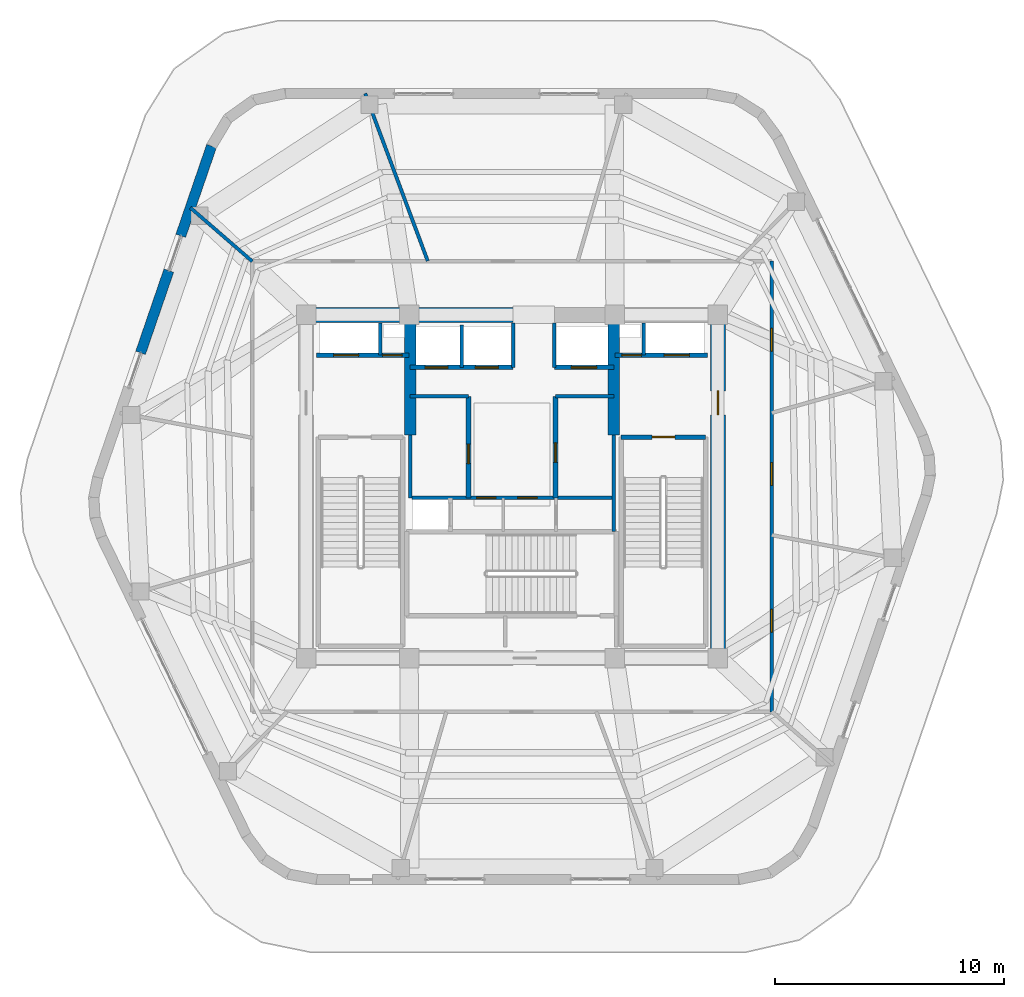
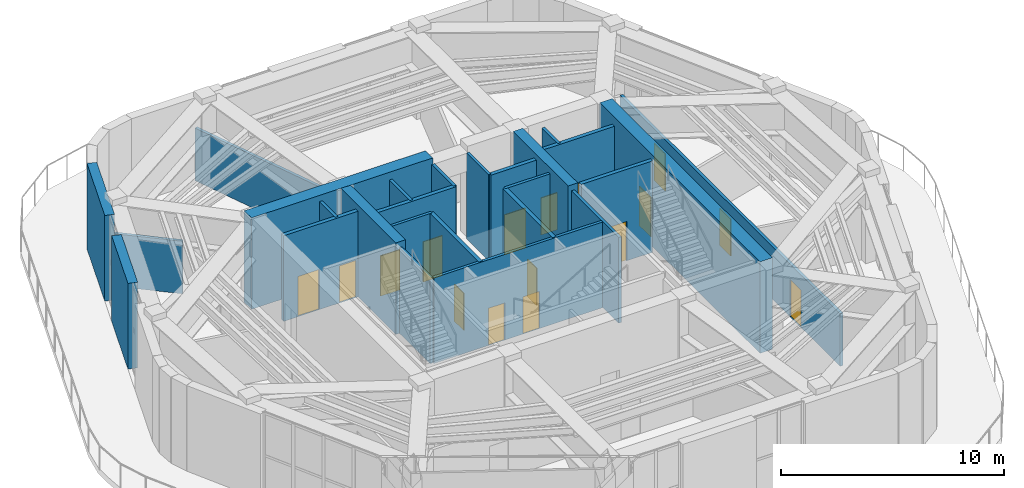
# One storey, part 18 of 24: 26 walls, 16 doors, 16 openings.
"""IFC4 building model written with IfcOpenShell, lengths in metres."""

from ifc_helpers import new_model, si_unit, direction, frame, frame_2d, origin, place, context, subcontext, project, spatial, rectangle, extrude, material, layer, layer_set, type_object, element, fill, save


model = new_model("IFC4")

# Units and contexts
model_context = context("Model", 3, precision=1e-05, world=origin(), true_north=direction((0.0, 1.0)))
body_context = subcontext(model_context, "Body", "Model", "MODEL_VIEW")
ifc_project = project(units=[si_unit("LENGTHUNIT", "METRE"), si_unit("AREAUNIT", "SQUARE_METRE"), si_unit("VOLUMEUNIT", "CUBIC_METRE"), si_unit("PLANEANGLEUNIT", "RADIAN"), si_unit("MASSUNIT", "GRAM", prefix="KILO")], contexts=[model_context])

# Site, building, storey
site_placement = place(None, origin())
site = spatial("IfcSite", under=ifc_project, at=site_placement, CompositionType="ELEMENT")
building_placement = place(site_placement, origin())
building = spatial("IfcBuilding", under=site, at=building_placement, Name="Kilnhurst Terrace Hotel", CompositionType="ELEMENT")
storey_placement = place(building_placement, frame((0.0, 0.0, 305.39990234375)))
storey = spatial("IfcBuildingStorey", under=building, at=storey_placement, Name="L76", CompositionType="ELEMENT", Elevation=305.39990234375)

# Walls
ifc_material_1 = material(Name="Precast concrete C40/50", Category="concrete")
ifc_layer_1 = layer(ifc_material_1, 0.449951171875, Name="Precast concrete C40/50")
ifc_layer_set_1 = layer_set([ifc_layer_1], Name="Precast concrete C40/50")
wall_type_1 = type_object("IfcWallType", Name="WL-BRK-450", PredefinedType="SOLIDWALL", material=ifc_layer_set_1)
wall_1_placement = place(storey_placement, frame((-13.131103515625, 14.873291015625, 0.0), z_axis=(0.0, 0.0, 1.0), x_axis=(-0.324498911717, -0.945886069405, 0.0)))
element("IfcWall", 1, at=wall_1_placement, inside=storey, type_object=wall_type_1, Name="L76 Face 5 Brick Pier 1", PredefinedType="SOLIDWALL", context=body_context, shape_type="SweptSolid", body=[
    extrude(rectangle(XDim=4.14697265625, YDim=0.449951171875, at=frame_2d((2.073486328125, 0.0))), origin(), (0.0, 0.0, 1.0), 4.68017578125),
])
wall_2_placement = place(storey_placement, frame((-14.997802734375, 9.4326171875, 0.0), z_axis=(0.0, 0.0, 1.0), x_axis=(-0.324503351443, -0.945884546286, 0.0)))
element("IfcWall", 2, at=wall_2_placement, inside=storey, type_object=wall_type_1, Name="L76 Face 5 Brick Pier 2", PredefinedType="SOLIDWALL", context=body_context, shape_type="SweptSolid", body=[
    extrude(rectangle(XDim=3.800048828125, YDim=0.449951171875, at=frame_2d((1.89990234375, 0.0))), origin(), (0.0, 0.0, 1.0), 4.68017578125),
])

# Wall, openings, doors
ifc_material_2 = material(Name="Acoustic Double-Gypsum Corridor Partition Assembly")
ifc_layer_2 = layer(ifc_material_2, 0.14990234375, Name="Acoustic Double-Gypsum Corridor Partition Assembly")
ifc_layer_set_2 = layer_set([ifc_layer_2], Name="Acoustic Double-Gypsum Corridor Partition Assembly")
wall_type_2 = type_object("IfcWallType", Name="WL-COR-150", PredefinedType="PARTITIONING", material=ifc_layer_set_2)
wall_3_placement = place(storey_placement, frame((11.35009765625, 9.85009765625, 0.0), z_axis=(0.0, 0.0, 1.0), x_axis=(0.0, -1.0, 0.0)))
wall_3 = element("IfcWall", 3, at=wall_3_placement, inside=storey, type_object=wall_type_2, Name="L76 Interior Wall WL-L76-COR-03", PredefinedType="PARTITIONING", context=body_context, shape_type="SweptSolid", body=[
    extrude(rectangle(XDim=19.7001953125, YDim=0.14990234375, at=frame_2d((9.85009765625, 0.0))), origin(), (0.0, 0.0, 1.0), 2.8701171875),
])
opening_1_placement = place(wall_3_placement, frame((2.93798828125, 0.0, 0.0)))
opening_1 = element("IfcOpeningElement", 4, at=opening_1_placement, cuts=wall_3, Name="Opening D-10A", PredefinedType="OPENING", context=body_context, shape_type="SweptSolid", body=[
    extrude(rectangle(XDim=1.0, YDim=2.030029296875, at=frame_2d((0.5, 1.01513671875))), frame((0.0, 0.0849609375, 0.0), z_axis=(0.0, -1.0, 0.0), x_axis=(1.0, 0.0, 0.0)), (0.0, 0.0, 1.0), 0.169921875),
])
opening_2_placement = place(wall_3_placement, frame((15.218994140625, 0.0, 0.0)))
opening_2 = element("IfcOpeningElement", 5, at=opening_2_placement, cuts=wall_3, Name="Opening D-10A", PredefinedType="OPENING", context=body_context, shape_type="SweptSolid", body=[
    extrude(rectangle(XDim=1.0, YDim=2.030029296875, at=frame_2d((0.5, 1.01513671875))), frame((0.0, 0.0849609375, 0.0), z_axis=(0.0, -1.0, 0.0), x_axis=(1.0, 0.0, 0.0)), (0.0, 0.0, 1.0), 0.169921875),
])
opening_3_placement = place(wall_3_placement, frame((8.804931640625, 0.0, 0.0)))
opening_3 = element("IfcOpeningElement", 6, at=opening_3_placement, cuts=wall_3, Name="Opening D-10A", PredefinedType="OPENING", context=body_context, shape_type="SweptSolid", body=[
    extrude(rectangle(XDim=1.0, YDim=2.030029296875, at=frame_2d((0.5, 1.01513671875))), frame((0.0, 0.0849609375, 0.0), z_axis=(0.0, -1.0, 0.0), x_axis=(1.0, 0.0, 0.0)), (0.0, 0.0, 1.0), 0.169921875),
])
ifc_material_3 = material(Name="Solid-Core American White Oak Interior Door")
door_type_1 = type_object("IfcDoorType", Name="DR-INT-1000", OperationType="NOTDEFINED", PredefinedType="DOOR", material=ifc_material_3)
door_1_placement = place(opening_1_placement, origin())
door_1 = element("IfcDoor", 7, at=door_1_placement, inside=storey, type_object=door_type_1, Name="L76 North East Observation Indoor Gallery West Wing Door", OperationType="SINGLE_SWING_LEFT", OverallHeight=2.030029296875, OverallWidth=1.0, PredefinedType="DOOR", context=body_context, shape_type="SweptSolid", body=[
    extrude(rectangle(XDim=1.0, YDim=2.030029296875, at=frame_2d((0.5, 1.01513671875))), frame((0.0, 0.02490234375, 0.0), z_axis=(0.0, -1.0, 0.0), x_axis=(1.0, 0.0, 0.0)), (0.0, 0.0, 1.0), 0.050048828125),
])
fill(opening_1, door_1)
door_2_placement = place(opening_2_placement, origin())
door_2 = element("IfcDoor", 8, at=door_2_placement, inside=storey, type_object=door_type_1, Name="L76 Lookout Public Restrooms Block Door", OperationType="SINGLE_SWING_LEFT", OverallHeight=2.030029296875, OverallWidth=1.0, PredefinedType="DOOR", context=body_context, shape_type="SweptSolid", body=[
    extrude(rectangle(XDim=1.0, YDim=2.030029296875, at=frame_2d((0.5, 1.01513671875))), frame((0.0, 0.02490234375, 0.0), z_axis=(0.0, -1.0, 0.0), x_axis=(1.0, 0.0, 0.0)), (0.0, 0.0, 1.0), 0.050048828125),
])
fill(opening_2, door_2)
door_3_placement = place(opening_3_placement, origin())
door_3 = element("IfcDoor", 9, at=door_3_placement, inside=storey, type_object=door_type_1, Name="L76 Lookout Accessible Toilets Block Door", OperationType="SINGLE_SWING_RIGHT", OverallHeight=2.030029296875, OverallWidth=1.0, PredefinedType="DOOR", context=body_context, shape_type="SweptSolid", body=[
    extrude(rectangle(XDim=1.0, YDim=2.030029296875, at=frame_2d((0.5, 1.01513671875))), frame((0.0, 0.02490234375, 0.0), z_axis=(0.0, -1.0, 0.0), x_axis=(1.0, 0.0, 0.0)), (0.0, 0.0, 1.0), 0.050048828125),
])
fill(opening_3, door_3)

# Wall
ifc_material_4 = material(Name="Concrete C60/75", Category="concrete")
ifc_layer_3 = layer(ifc_material_4, 0.64990234375, Name="Concrete C60/75")
ifc_layer_set_3 = layer_set([ifc_layer_3], Name="Concrete C60/75")
wall_type_3 = type_object("IfcWallType", Name="WL-CORE-650", PredefinedType="SHEAR", material=ifc_layer_set_3)
wall_4_placement = place(storey_placement, frame((-9.324951171875, 7.5, 0.0), z_axis=(0.0, 0.0, 1.0), x_axis=(1.0, 0.0, 0.0)))
element("IfcWall", 10, at=wall_4_placement, inside=storey, type_object=wall_type_3, Name="L76 Core North West Shear Wall", PredefinedType="SHEAR", context=body_context, shape_type="SweptSolid", body=[
    extrude(rectangle(XDim=9.375, YDim=0.64990234375, at=frame_2d((4.6875, 0.0))), origin(), (0.0, 0.0, 1.0), 5.0),
])

# Wall, opening, door
wall_5_placement = place(storey_placement, frame((9.0, -7.175048828125, 0.0), z_axis=(0.0, 0.0, 1.0), x_axis=(0.0, 1.0, 0.0)))
wall_5 = element("IfcWall", 11, at=wall_5_placement, inside=storey, type_object=wall_type_3, Name="L76 Core East Shear Wall", PredefinedType="SHEAR", context=body_context, shape_type="SweptSolid", body=[
    extrude(rectangle(XDim=14.35009765625, YDim=0.64990234375, at=frame_2d((7.175048828125, 0.0))), origin(), (0.0, 0.0, 1.0), 5.0),
])
opening_4_placement = place(wall_5_placement, frame((10.300048828125, 0.0, 0.0)))
opening_4 = element("IfcOpeningElement", 12, at=opening_4_placement, cuts=wall_5, Name="Opening D-90A", PredefinedType="OPENING", context=body_context, shape_type="SweptSolid", body=[
    extrude(rectangle(XDim=1.050048828125, YDim=2.14990234375, at=frame_2d((0.52490234375, 1.074951171875))), frame((0.0, 0.3349609375, 0.0), z_axis=(0.0, -1.0, 0.0), x_axis=(1.0, 0.0, 0.0)), (0.0, 0.0, 1.0), 0.669921875),
])
ifc_material_5 = material(Name="Painted Hollow Metal Steel ASTM A36 Fire Door", Category="steel")
door_type_2 = type_object("IfcDoorType", Name="DR-FD90-1050", OperationType="NOTDEFINED", PredefinedType="DOOR", material=ifc_material_5)
door_4_placement = place(opening_4_placement, origin())
door_4 = element("IfcDoor", 13, at=door_4_placement, inside=storey, type_object=door_type_2, Name="L76 East Firefighting Lobby Door", OperationType="SINGLE_SWING_LEFT", OverallHeight=2.14990234375, OverallWidth=1.050048828125, PredefinedType="DOOR", context=body_context, shape_type="SweptSolid", body=[
    extrude(rectangle(XDim=1.050048828125, YDim=2.14990234375, at=frame_2d((0.52490234375, 1.074951171875))), frame((0.0, 0.02490234375, 0.0), z_axis=(0.0, -1.0, 0.0), x_axis=(1.0, 0.0, 0.0)), (0.0, 0.0, 1.0), 0.050048828125),
])
fill(opening_4, door_4)

# Walls
ifc_layer_4 = layer(ifc_material_4, 0.5, Name="Concrete C60/75")
ifc_layer_set_4 = layer_set([ifc_layer_4], Name="Concrete C60/75")
wall_type_4 = type_object("IfcWallType", Name="WL-CORE-WEB-500", PredefinedType="SHEAR", material=ifc_layer_set_4)
for number, where, z_axis, x_axis, name in (
    (14, (-4.449951171875, 2.25, 0.0), (0.0, 0.0, 1.0), (0.0, 1.0, 0.0), "L76 Core Internal West Shear Web"),
    (15, (4.449951171875, 2.25, 0.0), (0.0, 0.0, 1.0), (0.0, 1.0, 0.0), "L76 Core Internal East Shear Web"),
):
    element("IfcWall", number, at=place(storey_placement, frame(where, z_axis=z_axis, x_axis=x_axis)), inside=storey, type_object=wall_type_4, Name=name, PredefinedType="SHEAR", context=body_context, shape_type="SweptSolid", body=[
        extrude(rectangle(XDim=4.925048828125, YDim=0.5, at=frame_2d((2.46240234375, 0.0))), origin(), (0.0, 0.0, 1.0), 5.0),
    ])
ifc_material_6 = material(Name="150 mm Acoustic Gypsum Hospitality Partition")
ifc_layer_5 = layer(ifc_material_6, 0.14990234375, Name="150 mm Acoustic Gypsum Hospitality Partition")
ifc_layer_set_5 = layer_set([ifc_layer_5], Name="150 mm Acoustic Gypsum Hospitality Partition")
wall_type_5 = type_object("IfcWallType", Name="WL-PART-150", PredefinedType="PARTITIONING", material=ifc_layer_set_5)
wall_6_placement = place(storey_placement, frame((-3.681396484375, 9.85009765625, 0.0), z_axis=(0.0, 0.0, 1.0), x_axis=(-0.350079676448, 0.936719926199, 0.0)))
element("IfcWall", 16, at=wall_6_placement, inside=storey, type_object=wall_type_5, Name="L76 Interior Wall WL-L76-SCOL-04-1", PredefinedType="PARTITIONING", context=body_context, shape_type="SweptSolid", body=[
    extrude(rectangle(XDim=7.81982421875, YDim=0.14990234375, at=frame_2d((3.909912109375, 0.0))), origin(), (0.0, 0.0, 1.0), 2.8701171875),
])
wall_7_placement = place(storey_placement, frame((-11.35009765625, 9.836181640625, 0.0), z_axis=(0.0, 0.0, 1.0), x_axis=(-0.755716089778, 0.65489937521, 0.0)))
element("IfcWall", 17, at=wall_7_placement, inside=storey, type_object=wall_type_5, Name="L76 Interior Wall WL-L76-SCOL-05-1", PredefinedType="PARTITIONING", context=body_context, shape_type="SweptSolid", body=[
    extrude(rectangle(XDim=3.5791015625, YDim=0.14990234375, at=frame_2d((1.78955078125, 0.0))), origin(), (0.0, 0.0, 1.0), 2.8701171875),
])
ifc_material_7 = material(Name="Fire-Rated Gypsum Shaftliner Assembly")
ifc_layer_6 = layer(ifc_material_7, 0.14990234375, Name="Fire-Rated Gypsum Shaftliner Assembly")
ifc_layer_set_6 = layer_set([ifc_layer_6], Name="Fire-Rated Gypsum Shaftliner Assembly")
wall_type_6 = type_object("IfcWallType", Name="WL-SHAFT-150", PredefinedType="PARTITIONING", material=ifc_layer_set_6)
for number, where, z_axis, x_axis, name in (
    (18, (-5.75, 5.739990234375, 0.0), (0.0, 0.0, 1.0), (0.0, 1.0, 0.0), "L76 Interior Wall WL-L76-RIS1-DIV"),
    (19, (5.75, 5.739990234375, 0.0), (0.0, 0.0, 1.0), (0.0, 1.0, 0.0), "L76 Interior Wall WL-L76-RIS2-DIV"),
):
    element("IfcWall", number, at=place(storey_placement, frame(where, z_axis=z_axis, x_axis=x_axis)), inside=storey, type_object=wall_type_6, Name=name, PredefinedType="PARTITIONING", context=body_context, shape_type="SweptSolid", body=[
        extrude(rectangle(XDim=1.409912109375, YDim=0.14990234375, at=frame_2d((0.705078125, 0.0))), origin(), (0.0, 0.0, 1.0), 4.68017578125),
    ])
wall_8_placement = place(storey_placement, frame((-2.199951171875, 5.199951171875, 0.0), z_axis=(0.0, 0.0, 1.0), x_axis=(0.0, 1.0, 0.0)))
element("IfcWall", 20, at=wall_8_placement, inside=storey, type_object=wall_type_6, Name="L76 Interior Wall WL-L76-HR-DIV1", PredefinedType="PARTITIONING", context=body_context, shape_type="SweptSolid", body=[
    extrude(rectangle(XDim=1.85009765625, YDim=0.14990234375, at=frame_2d((0.925048828125, 0.0))), origin(), (0.0, 0.0, 1.0), 4.68017578125),
])
for number, where, z_axis, x_axis, name in (
    (21, (0.050048828125, 5.199951171875, 0.0), (0.0, 0.0, 1.0), (0.0, 1.0, 0.0), "L76 Interior Wall WL-L76-HR-PORTAL-W"),
    (22, (1.85009765625, 5.199951171875, 0.0), (0.0, 0.0, 1.0), (0.0, 1.0, 0.0), "L76 Interior Wall WL-L76-HR-PORTAL-E"),
):
    element("IfcWall", number, at=place(storey_placement, frame(where, z_axis=z_axis, x_axis=x_axis)), inside=storey, type_object=wall_type_6, Name=name, PredefinedType="PARTITIONING", context=body_context, shape_type="SweptSolid", body=[
        extrude(rectangle(XDim=1.949951171875, YDim=0.14990234375, at=frame_2d((0.97509765625, 0.0))), origin(), (0.0, 0.0, 1.0), 4.68017578125),
    ])
wall_9_placement = place(storey_placement, frame((-4.449951171875, -0.5, 0.0), z_axis=(0.0, 0.0, 1.0), x_axis=(0.0, 1.0, 0.0)))
element("IfcWall", 23, at=wall_9_placement, inside=storey, type_object=wall_type_6, Name="L76 Interior Wall WL-L76-XLOB-W", PredefinedType="PARTITIONING", context=body_context, shape_type="SweptSolid", body=[
    extrude(rectangle(XDim=2.75, YDim=0.14990234375, at=frame_2d((1.375, 0.0))), origin(), (0.0, 0.0, 1.0), 4.68017578125),
])
wall_10_placement = place(storey_placement, frame((4.449951171875, -1.971923828125, 0.0), z_axis=(0.0, 0.0, 1.0), x_axis=(0.0, 1.0, 0.0)))
element("IfcWall", 24, at=wall_10_placement, inside=storey, type_object=wall_type_6, Name="L76 Interior Wall WL-L76-XLOB-E", PredefinedType="PARTITIONING", context=body_context, shape_type="SweptSolid", body=[
    extrude(rectangle(XDim=4.221923828125, YDim=0.14990234375, at=frame_2d((2.11083984375, 0.0))), origin(), (0.0, 0.0, 1.0), 4.68017578125),
])
for number, where, z_axis, x_axis, name in (
    (25, (-4.449951171875, 3.93994140625, 0.0), (0.0, 0.0, 1.0), (1.0, 0.0, 0.0), "L76 Interior Wall WL-L76-LR-NORTH"),
    (26, (1.89990234375, 3.93994140625, 0.0), (0.0, 0.0, 1.0), (1.0, 0.0, 0.0), "L76 Interior Wall WL-L76-MR-NORTH"),
):
    element("IfcWall", number, at=place(storey_placement, frame(where, z_axis=z_axis, x_axis=x_axis)), inside=storey, type_object=wall_type_6, Name=name, PredefinedType="PARTITIONING", context=body_context, shape_type="SweptSolid", body=[
        extrude(rectangle(XDim=2.550048828125, YDim=0.14990234375, at=frame_2d((1.27490234375, 0.0))), origin(), (0.0, 0.0, 1.0), 4.68017578125),
    ])

# Wall, openings, doors
wall_11_placement = place(storey_placement, frame((-4.360107421875, -0.489990234375, 0.0), z_axis=(0.0, 0.0, 1.0), x_axis=(1.0, 0.0, 0.0)))
wall_11 = element("IfcWall", 27, at=wall_11_placement, inside=storey, type_object=wall_type_6, Name="L76 Interior Wall WL-L76-BOH-N", PredefinedType="PARTITIONING", context=body_context, shape_type="SweptSolid", body=[
    extrude(rectangle(XDim=8.72021484375, YDim=0.14990234375, at=frame_2d((4.360107421875, 0.0))), origin(), (0.0, 0.0, 1.0), 4.68017578125),
])
opening_5_placement = place(wall_11_placement, frame((2.81005859375, 0.0, 0.0)))
opening_5 = element("IfcOpeningElement", 28, at=opening_5_placement, cuts=wall_11, Name="Opening D-60D", PredefinedType="OPENING", context=body_context, shape_type="SweptSolid", body=[
    extrude(rectangle(XDim=0.85009765625, YDim=2.030029296875, at=frame_2d((0.425048828125, 1.01513671875))), frame((0.0, 0.0849609375, 0.0), z_axis=(0.0, -1.0, 0.0), x_axis=(1.0, 0.0, 0.0)), (0.0, 0.0, 1.0), 0.169921875),
])
opening_6_placement = place(wall_11_placement, frame((4.610107421875, 0.0, 0.0)))
opening_6 = element("IfcOpeningElement", 29, at=opening_6_placement, cuts=wall_11, Name="Opening D-60D", PredefinedType="OPENING", context=body_context, shape_type="SweptSolid", body=[
    extrude(rectangle(XDim=0.85009765625, YDim=2.030029296875, at=frame_2d((0.425048828125, 1.01513671875))), frame((0.0, 0.0849609375, 0.0), z_axis=(0.0, -1.0, 0.0), x_axis=(1.0, 0.0, 0.0)), (0.0, 0.0, 1.0), 0.169921875),
])
ifc_material_8 = material(Name="Painted Hollow Metal Steel ASTM A36 Riser Door", Category="steel")
door_type_3 = type_object("IfcDoorType", Name="DR-FD60-850", OperationType="NOTDEFINED", PredefinedType="DOOR", material=ifc_material_8)
door_5_placement = place(opening_5_placement, origin())
door_5 = element("IfcDoor", 30, at=door_5_placement, inside=storey, type_object=door_type_3, Name="L76 Housekeeping Station Door", OperationType="SINGLE_SWING_LEFT", OverallHeight=2.030029296875, OverallWidth=0.85009765625, PredefinedType="DOOR", context=body_context, shape_type="SweptSolid", body=[
    extrude(rectangle(XDim=0.85009765625, YDim=2.030029296875, at=frame_2d((0.425048828125, 1.01513671875))), frame((0.0, 0.02490234375, 0.0), z_axis=(0.0, -1.0, 0.0), x_axis=(1.0, 0.0, 0.0)), (0.0, 0.0, 1.0), 0.050048828125),
])
fill(opening_5, door_5)
door_6_placement = place(opening_6_placement, origin())
door_6 = element("IfcDoor", 31, at=door_6_placement, inside=storey, type_object=door_type_3, Name="L76 Beverage Pantry Door", OperationType="SINGLE_SWING_RIGHT", OverallHeight=2.030029296875, OverallWidth=0.85009765625, PredefinedType="DOOR", context=body_context, shape_type="SweptSolid", body=[
    extrude(rectangle(XDim=0.85009765625, YDim=2.030029296875, at=frame_2d((0.425048828125, 1.01513671875))), frame((0.0, 0.02490234375, 0.0), z_axis=(0.0, -1.0, 0.0), x_axis=(1.0, 0.0, 0.0)), (0.0, 0.0, 1.0), 0.050048828125),
])
fill(opening_6, door_6)

ifc_material_9 = material(Name="Autoclaved Aerated Concrete C30/37 and Gypsum Shaft Assembly", Category="concrete")
ifc_layer_7 = layer(ifc_material_9, 0.199951171875, Name="Autoclaved Aerated Concrete C30/37 and Gypsum Shaft Assembly")
ifc_layer_set_7 = layer_set([ifc_layer_7], Name="Autoclaved Aerated Concrete C30/37 and Gypsum Shaft Assembly")
wall_type_7 = type_object("IfcWallType", Name="WL-SHAFT-200", PredefinedType="PARTITIONING", material=ifc_layer_set_7)
wall_12_placement = place(storey_placement, frame((-8.550048828125, 5.739990234375, 0.0), z_axis=(0.0, 0.0, 1.0), x_axis=(1.0, 0.0, 0.0)))
wall_12 = element("IfcWall", 32, at=wall_12_placement, inside=storey, type_object=wall_type_7, Name="L76 Interior Wall WL-L76-FSAE1-S", PredefinedType="PARTITIONING", context=body_context, shape_type="SweptSolid", body=[
    extrude(rectangle(XDim=4.050048828125, YDim=0.199951171875, at=frame_2d((2.02490234375, 0.0))), origin(), (0.0, 0.0, 1.0), 4.68017578125),
])
opening_7_placement = place(wall_12_placement, frame((0.75, 0.0, 0.0)))
opening_7 = element("IfcOpeningElement", 33, at=opening_7_placement, cuts=wall_12, Name="Opening LD-F1", PredefinedType="OPENING", context=body_context, shape_type="SweptSolid", body=[
    extrude(rectangle(XDim=1.10009765625, YDim=2.199951171875, at=frame_2d((0.550048828125, 1.10009765625))), frame((0.0, 0.10986328125, 0.0), z_axis=(0.0, -1.0, 0.0), x_axis=(1.0, 0.0, 0.0)), (0.0, 0.0, 1.0), 0.219970703125),
])
opening_8_placement = place(wall_12_placement, frame((2.89990234375, 0.0, 0.0)))
opening_8 = element("IfcOpeningElement", 34, at=opening_8_placement, cuts=wall_12, Name="Opening D-60D", PredefinedType="OPENING", context=body_context, shape_type="SweptSolid", body=[
    extrude(rectangle(XDim=0.85009765625, YDim=2.030029296875, at=frame_2d((0.425048828125, 1.01513671875))), frame((0.0, 0.10986328125, 0.0), z_axis=(0.0, -1.0, 0.0), x_axis=(1.0, 0.0, 0.0)), (0.0, 0.0, 1.0), 0.219970703125),
])
door_7_placement = place(opening_8_placement, origin())
door_7 = element("IfcDoor", 35, at=door_7_placement, inside=storey, type_object=door_type_3, Name="L76 Electrical Riser Door", OperationType="SINGLE_SWING_LEFT", OverallHeight=2.030029296875, OverallWidth=0.85009765625, PredefinedType="DOOR", context=body_context, shape_type="SweptSolid", body=[
    extrude(rectangle(XDim=0.85009765625, YDim=2.030029296875, at=frame_2d((0.425048828125, 1.01513671875))), frame((0.0, 0.02490234375, 0.0), z_axis=(0.0, -1.0, 0.0), x_axis=(1.0, 0.0, 0.0)), (0.0, 0.0, 1.0), 0.050048828125),
])
fill(opening_8, door_7)
ifc_material_10 = material(Name="Bronze-Anodized Stainless Steel AISI 316L Sliding Door", Category="steel")
door_type_4 = type_object("IfcDoorType", Name="DR-LIFT-1100", OperationType="NOTDEFINED", PredefinedType="DOOR", material=ifc_material_10)
door_8_placement = place(opening_7_placement, origin())
door_8 = element("IfcDoor", 36, at=door_8_placement, inside=storey, type_object=door_type_4, Name="L76 FSAE-1 Landing Door", OperationType="SLIDING_TO_LEFT", OverallHeight=2.199951171875, OverallWidth=1.10009765625, PredefinedType="DOOR", context=body_context, shape_type="SweptSolid", body=[
    extrude(rectangle(XDim=1.10009765625, YDim=2.199951171875, at=frame_2d((0.550048828125, 1.10009765625))), frame((0.0, 0.02490234375, 0.0), z_axis=(0.0, -1.0, 0.0), x_axis=(1.0, 0.0, 0.0)), (0.0, 0.0, 1.0), 0.050048828125),
])
fill(opening_7, door_8)

wall_13_placement = place(storey_placement, frame((4.5, 5.739990234375, 0.0), z_axis=(0.0, 0.0, 1.0), x_axis=(1.0, 0.0, 0.0)))
wall_13 = element("IfcWall", 37, at=wall_13_placement, inside=storey, type_object=wall_type_7, Name="L76 Interior Wall WL-L76-FSAE2-S", PredefinedType="PARTITIONING", context=body_context, shape_type="SweptSolid", body=[
    extrude(rectangle(XDim=4.050048828125, YDim=0.199951171875, at=frame_2d((2.02490234375, 0.0))), origin(), (0.0, 0.0, 1.0), 4.68017578125),
])
opening_9_placement = place(wall_13_placement, frame((0.300048828125, 0.0, 0.0)))
opening_9 = element("IfcOpeningElement", 38, at=opening_9_placement, cuts=wall_13, Name="Opening D-60D", PredefinedType="OPENING", context=body_context, shape_type="SweptSolid", body=[
    extrude(rectangle(XDim=0.85009765625, YDim=2.030029296875, at=frame_2d((0.425048828125, 1.01513671875))), frame((0.0, 0.10986328125, 0.0), z_axis=(0.0, -1.0, 0.0), x_axis=(1.0, 0.0, 0.0)), (0.0, 0.0, 1.0), 0.219970703125),
])
opening_10_placement = place(wall_13_placement, frame((2.14990234375, 0.0, 0.0)))
opening_10 = element("IfcOpeningElement", 39, at=opening_10_placement, cuts=wall_13, Name="Opening LD-F2", PredefinedType="OPENING", context=body_context, shape_type="SweptSolid", body=[
    extrude(rectangle(XDim=1.10009765625, YDim=2.199951171875, at=frame_2d((0.550048828125, 1.10009765625))), frame((0.0, 0.10986328125, 0.0), z_axis=(0.0, -1.0, 0.0), x_axis=(1.0, 0.0, 0.0)), (0.0, 0.0, 1.0), 0.219970703125),
])
door_9_placement = place(opening_9_placement, origin())
door_9 = element("IfcDoor", 40, at=door_9_placement, inside=storey, type_object=door_type_3, Name="L76 Telecom Riser Door", OperationType="SINGLE_SWING_RIGHT", OverallHeight=2.030029296875, OverallWidth=0.85009765625, PredefinedType="DOOR", context=body_context, shape_type="SweptSolid", body=[
    extrude(rectangle(XDim=0.85009765625, YDim=2.030029296875, at=frame_2d((0.425048828125, 1.01513671875))), frame((0.0, 0.02490234375, 0.0), z_axis=(0.0, -1.0, 0.0), x_axis=(1.0, 0.0, 0.0)), (0.0, 0.0, 1.0), 0.050048828125),
])
fill(opening_9, door_9)
door_10_placement = place(opening_10_placement, origin())
door_10 = element("IfcDoor", 41, at=door_10_placement, inside=storey, type_object=door_type_4, Name="L76 FSAE-2 Landing Door", OperationType="SLIDING_TO_RIGHT", OverallHeight=2.199951171875, OverallWidth=1.10009765625, PredefinedType="DOOR", context=body_context, shape_type="SweptSolid", body=[
    extrude(rectangle(XDim=1.10009765625, YDim=2.199951171875, at=frame_2d((0.550048828125, 1.10009765625))), frame((0.0, 0.02490234375, 0.0), z_axis=(0.0, -1.0, 0.0), x_axis=(1.0, 0.0, 0.0)), (0.0, 0.0, 1.0), 0.050048828125),
])
fill(opening_10, door_10)

wall_14_placement = place(storey_placement, frame((-4.449951171875, 5.199951171875, 0.0), z_axis=(0.0, 0.0, 1.0), x_axis=(1.0, 0.0, 0.0)))
wall_14 = element("IfcWall", 42, at=wall_14_placement, inside=storey, type_object=wall_type_7, Name="L76 Interior Wall WL-L76-HR-SW", PredefinedType="PARTITIONING", context=body_context, shape_type="SweptSolid", body=[
    extrude(rectangle(XDim=4.5, YDim=0.199951171875, at=frame_2d((2.25, 0.0))), origin(), (0.0, 0.0, 1.0), 4.68017578125),
])
opening_11_placement = place(wall_14_placement, frame((0.64990234375, 0.0, 0.0)))
opening_11 = element("IfcOpeningElement", 43, at=opening_11_placement, cuts=wall_14, Name="Opening LD-HR", PredefinedType="OPENING", context=body_context, shape_type="SweptSolid", body=[
    extrude(rectangle(XDim=1.0, YDim=2.199951171875, at=frame_2d((0.5, 1.10009765625))), frame((0.0, 0.10986328125, 0.0), z_axis=(0.0, -1.0, 0.0), x_axis=(1.0, 0.0, 0.0)), (0.0, 0.0, 1.0), 0.219970703125),
])
opening_12_placement = place(wall_14_placement, frame((2.85009765625, 0.0, 0.0)))
opening_12 = element("IfcOpeningElement", 44, at=opening_12_placement, cuts=wall_14, Name="Opening LD-HS", PredefinedType="OPENING", context=body_context, shape_type="SweptSolid", body=[
    extrude(rectangle(XDim=1.0, YDim=2.199951171875, at=frame_2d((0.5, 1.10009765625))), frame((0.0, 0.10986328125, 0.0), z_axis=(0.0, -1.0, 0.0), x_axis=(1.0, 0.0, 0.0)), (0.0, 0.0, 1.0), 0.219970703125),
])
door_type_5 = type_object("IfcDoorType", Name="DR-LIFT-1000", OperationType="NOTDEFINED", PredefinedType="DOOR", material=ifc_material_10)
door_11_placement = place(opening_11_placement, origin())
door_11 = element("IfcDoor", 45, at=door_11_placement, inside=storey, type_object=door_type_5, Name="L76 High Rise Lift HR-1 Landing Door", OperationType="SLIDING_TO_LEFT", OverallHeight=2.199951171875, OverallWidth=1.0, PredefinedType="DOOR", context=body_context, shape_type="SweptSolid", body=[
    extrude(rectangle(XDim=1.0, YDim=2.199951171875, at=frame_2d((0.5, 1.10009765625))), frame((0.0, 0.02490234375, 0.0), z_axis=(0.0, -1.0, 0.0), x_axis=(1.0, 0.0, 0.0)), (0.0, 0.0, 1.0), 0.050048828125),
])
fill(opening_11, door_11)
door_12_placement = place(opening_12_placement, origin())
door_12 = element("IfcDoor", 46, at=door_12_placement, inside=storey, type_object=door_type_5, Name="L76 High Rise Lift HR-3 Landing Door", OperationType="SLIDING_TO_RIGHT", OverallHeight=2.199951171875, OverallWidth=1.0, PredefinedType="DOOR", context=body_context, shape_type="SweptSolid", body=[
    extrude(rectangle(XDim=1.0, YDim=2.199951171875, at=frame_2d((0.5, 1.10009765625))), frame((0.0, 0.02490234375, 0.0), z_axis=(0.0, -1.0, 0.0), x_axis=(1.0, 0.0, 0.0)), (0.0, 0.0, 1.0), 0.050048828125),
])
fill(opening_12, door_12)

# Wall, opening, door
wall_15_placement = place(storey_placement, frame((1.85009765625, 5.199951171875, 0.0), z_axis=(0.0, 0.0, 1.0), x_axis=(1.0, 0.0, 0.0)))
wall_15 = element("IfcWall", 47, at=wall_15_placement, inside=storey, type_object=wall_type_7, Name="L76 Interior Wall WL-L76-HR-SE", PredefinedType="PARTITIONING", context=body_context, shape_type="SweptSolid", body=[
    extrude(rectangle(XDim=2.599853515625, YDim=0.199951171875, at=frame_2d((1.2998046875, 0.0))), origin(), (0.0, 0.0, 1.0), 4.68017578125),
])
opening_13_placement = place(wall_15_placement, frame((0.75, 0.0, 0.0)))
opening_13 = element("IfcOpeningElement", 48, at=opening_13_placement, cuts=wall_15, Name="Opening LD-H2", PredefinedType="OPENING", context=body_context, shape_type="SweptSolid", body=[
    extrude(rectangle(XDim=1.10009765625, YDim=2.199951171875, at=frame_2d((0.550048828125, 1.10009765625))), frame((0.0, 0.10986328125, 0.0), z_axis=(0.0, -1.0, 0.0), x_axis=(1.0, 0.0, 0.0)), (0.0, 0.0, 1.0), 0.219970703125),
])
door_13_placement = place(opening_13_placement, origin())
door_13 = element("IfcDoor", 49, at=door_13_placement, inside=storey, type_object=door_type_4, Name="L76 High Rise Lift HR-2 Landing Door", OperationType="SLIDING_TO_RIGHT", OverallHeight=2.199951171875, OverallWidth=1.10009765625, PredefinedType="DOOR", context=body_context, shape_type="SweptSolid", body=[
    extrude(rectangle(XDim=1.10009765625, YDim=2.199951171875, at=frame_2d((0.550048828125, 1.10009765625))), frame((0.0, 0.02490234375, 0.0), z_axis=(0.0, -1.0, 0.0), x_axis=(1.0, 0.0, 0.0)), (0.0, 0.0, 1.0), 0.050048828125),
])
fill(opening_13, door_13)

wall_16_placement = place(storey_placement, frame((-1.89990234375, -0.5, 0.0), z_axis=(0.0, 0.0, 1.0), x_axis=(0.0, 1.0, 0.0)))
wall_16 = element("IfcWall", 50, at=wall_16_placement, inside=storey, type_object=wall_type_7, Name="L76 Interior Wall WL-L76-LR-FRONT", PredefinedType="PARTITIONING", context=body_context, shape_type="SweptSolid", body=[
    extrude(rectangle(XDim=4.43994140625, YDim=0.199951171875, at=frame_2d((2.219970703125, 0.0))), origin(), (0.0, 0.0, 1.0), 4.68017578125),
])
opening_14_placement = place(wall_16_placement, frame((1.5, 0.0, 0.0)))
opening_14 = element("IfcOpeningElement", 51, at=opening_14_placement, cuts=wall_16, Name="Opening D-60D", PredefinedType="OPENING", context=body_context, shape_type="SweptSolid", body=[
    extrude(rectangle(XDim=0.85009765625, YDim=2.030029296875, at=frame_2d((0.425048828125, 1.01513671875))), frame((0.0, 0.10986328125, 0.0), z_axis=(0.0, -1.0, 0.0), x_axis=(1.0, 0.0, 0.0)), (0.0, 0.0, 1.0), 0.219970703125),
])
door_14_placement = place(opening_14_placement, origin())
door_14 = element("IfcDoor", 52, at=door_14_placement, inside=storey, type_object=door_type_3, Name="L76 Reclaimed Linen Room Door", OperationType="SINGLE_SWING_LEFT", OverallHeight=2.030029296875, OverallWidth=0.85009765625, PredefinedType="DOOR", context=body_context, shape_type="SweptSolid", body=[
    extrude(rectangle(XDim=0.85009765625, YDim=2.030029296875, at=frame_2d((0.425048828125, 1.01513671875))), frame((0.0, 0.02490234375, 0.0), z_axis=(0.0, -1.0, 0.0), x_axis=(1.0, 0.0, 0.0)), (0.0, 0.0, 1.0), 0.050048828125),
])
fill(opening_14, door_14)

wall_17_placement = place(storey_placement, frame((1.89990234375, -0.5, 0.0), z_axis=(0.0, 0.0, 1.0), x_axis=(0.0, 1.0, 0.0)))
wall_17 = element("IfcWall", 53, at=wall_17_placement, inside=storey, type_object=wall_type_7, Name="L76 Interior Wall WL-L76-MR-FRONT", PredefinedType="PARTITIONING", context=body_context, shape_type="SweptSolid", body=[
    extrude(rectangle(XDim=4.43994140625, YDim=0.199951171875, at=frame_2d((2.219970703125, 0.0))), origin(), (0.0, 0.0, 1.0), 4.68017578125),
])
opening_15_placement = place(wall_17_placement, frame((1.550048828125, 0.0, 0.0)))
opening_15 = element("IfcOpeningElement", 54, at=opening_15_placement, cuts=wall_17, Name="Opening D-60D", PredefinedType="OPENING", context=body_context, shape_type="SweptSolid", body=[
    extrude(rectangle(XDim=0.85009765625, YDim=2.030029296875, at=frame_2d((0.425048828125, 1.01513671875))), frame((0.0, 0.10986328125, 0.0), z_axis=(0.0, -1.0, 0.0), x_axis=(1.0, 0.0, 0.0)), (0.0, 0.0, 1.0), 0.219970703125),
])
door_15_placement = place(opening_15_placement, origin())
door_15 = element("IfcDoor", 55, at=door_15_placement, inside=storey, type_object=door_type_3, Name="L76 Staff Accessible Restroom Door", OperationType="SINGLE_SWING_RIGHT", OverallHeight=2.030029296875, OverallWidth=0.85009765625, PredefinedType="DOOR", context=body_context, shape_type="SweptSolid", body=[
    extrude(rectangle(XDim=0.85009765625, YDim=2.030029296875, at=frame_2d((0.425048828125, 1.01513671875))), frame((0.0, 0.02490234375, 0.0), z_axis=(0.0, -1.0, 0.0), x_axis=(1.0, 0.0, 0.0)), (0.0, 0.0, 1.0), 0.050048828125),
])
fill(opening_15, door_15)

ifc_material_11 = material(Name="Concrete C50/60", Category="concrete")
ifc_layer_8 = layer(ifc_material_11, 0.199951171875, Name="Concrete C50/60")
ifc_layer_set_8 = layer_set([ifc_layer_8], Name="Concrete C50/60")
wall_type_8 = type_object("IfcWallType", Name="WL-STAIR-RC-200", PredefinedType="SHEAR", material=ifc_layer_set_8)
wall_18_placement = place(storey_placement, frame((4.77197265625, 2.157958984375, 0.0), z_axis=(0.0, 0.0, 1.0), x_axis=(1.0, 0.0, 0.0)))
wall_18 = element("IfcWall", 56, at=wall_18_placement, inside=storey, type_object=wall_type_8, Name="L76 Structural Stair Shaft Wall WL-L76-ST2-N", PredefinedType="SHEAR", context=body_context, shape_type="SweptSolid", body=[
    extrude(rectangle(XDim=3.68603515625, YDim=0.199951171875, at=frame_2d((1.843017578125, 0.0))), origin(), (0.0, 0.0, 1.0), 5.0),
])
opening_16_placement = place(wall_18_placement, frame((1.35009765625, 0.0, 0.0)))
opening_16 = element("IfcOpeningElement", 57, at=opening_16_placement, cuts=wall_18, Name="Opening D-90B", PredefinedType="OPENING", context=body_context, shape_type="SweptSolid", body=[
    extrude(rectangle(XDim=1.0, YDim=2.14990234375, at=frame_2d((0.5, 1.074951171875))), frame((0.0, 0.10986328125, 0.0), z_axis=(0.0, -1.0, 0.0), x_axis=(1.0, 0.0, 0.0)), (0.0, 0.0, 1.0), 0.219970703125),
])
door_type_6 = type_object("IfcDoorType", Name="DR-FD90-1000", OperationType="NOTDEFINED", PredefinedType="DOOR", material=ifc_material_5)
door_16_placement = place(opening_16_placement, origin())
door_16 = element("IfcDoor", 58, at=door_16_placement, inside=storey, type_object=door_type_6, Name="L76 Stair ST-2 Door", OperationType="SINGLE_SWING_RIGHT", OverallHeight=2.14990234375, OverallWidth=1.0, PredefinedType="DOOR", context=body_context, shape_type="SweptSolid", body=[
    extrude(rectangle(XDim=1.0, YDim=2.14990234375, at=frame_2d((0.5, 1.074951171875))), frame((0.0, 0.02490234375, 0.0), z_axis=(0.0, -1.0, 0.0), x_axis=(1.0, 0.0, 0.0)), (0.0, 0.0, 1.0), 0.050048828125),
])
fill(opening_16, door_16)

save(model, "model.ifc")
